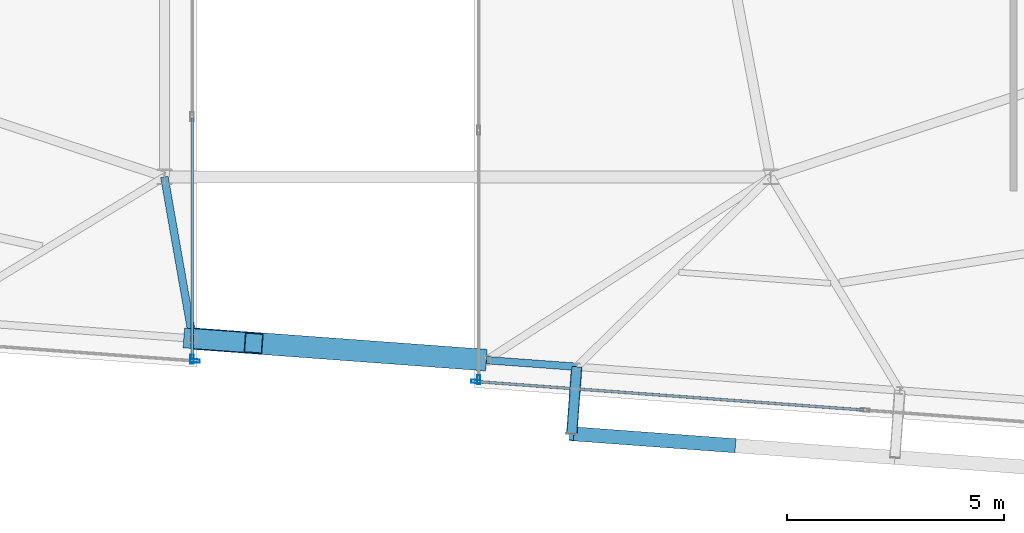
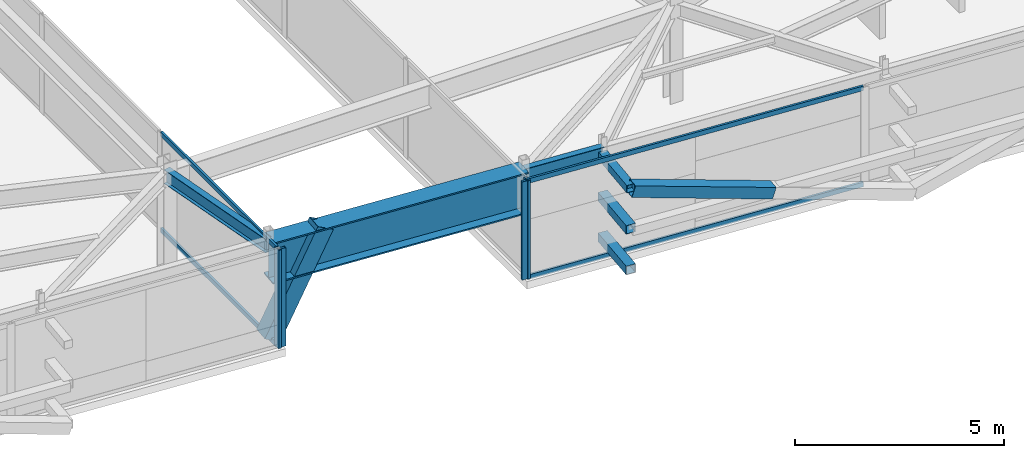
# One storey, part 11 of 40: 13 members, 3 beams, 4 elements without a shape of their own.
"""IFC4 building model written with IfcOpenShell, lengths in metres."""

from ifc_helpers import new_model, si_unit, direction, frame, origin, origin_2d, place, context, subcontext, project, spatial, hollow_rectangle, i_section, extrude, source, transform, mapped, material, layer, layer_set, material_profile, profile_set, type_object, element, aggregate, save


model = new_model("IFC4")

# Units and contexts
model_context = context("Model", 3, precision=1e-05, world=origin(), true_north=direction((0.0, 1.0)))
body_context = subcontext(model_context, "Body", "Model", "MODEL_VIEW")
ifc_project = project(units=[si_unit("LENGTHUNIT", "METRE"), si_unit("AREAUNIT", "SQUARE_METRE"), si_unit("VOLUMEUNIT", "CUBIC_METRE"), si_unit("PLANEANGLEUNIT", "RADIAN"), si_unit("MASSUNIT", "GRAM", prefix="KILO")], contexts=[model_context])

# Site, building, storey
site_placement = place(None, origin())
site = spatial("IfcSite", under=ifc_project, at=site_placement, CompositionType="ELEMENT")
building_placement = place(site_placement, origin())
building = spatial("IfcBuilding", under=site, at=building_placement, Name="Taldren Reach Tower", CompositionType="ELEMENT")
storey_placement = place(building_placement, frame((0.0, 0.0, 233.449951171875)))
storey = spatial("IfcBuildingStorey", under=building, at=storey_placement, Name="L71", CompositionType="ELEMENT", Elevation=233.449951171875)

# Members
ifc_material_1 = material(Name="Steel Gr 350 (C350L0)", Category="steel")
ifc_material_profile_1 = material_profile(ifc_material_1, hollow_rectangle(XDim=0.25, YDim=0.25, WallThickness=0.010009765625, at=origin_2d()), Name="250x250x10.0SHS")
ifc_profile_set_1 = profile_set([ifc_material_profile_1], Name="Steel Gr 350 (C350L0)")
member_type_1 = type_object("IfcMemberType", Name="MB-POST250", PredefinedType="POST", material=ifc_profile_set_1)
shared_shape_1 = source(origin(), body_context, "Body", "SweptSolid", [
    extrude(hollow_rectangle(XDim=0.25, YDim=0.25, WallThickness=0.010009765625, at=origin_2d()), origin(), (0.0, 0.0, 1.0), 1.550048828125),
])
for number, where, z_axis, x_axis, name in (
    (1, (37.5205078125, 4.81689453125, 0.219970703125), (-0.07323929162, -0.997314396849, 0.0), (0.997314396849, -0.07323929162, 0.0), "Exoskeleton base diaphragm tie strut B5-S4 L71"),
    (2, (37.5205078125, 4.81689453125, 1.405029296875), (-0.07323929162, -0.997314396849, 0.0), (0.997314396849, -0.07323929162, 0.0), "Exoskeleton mid-tier diaphragm tie B5-S4 L71"),
):
    element("IfcMember", number, at=place(storey_placement, frame(where, z_axis=z_axis, x_axis=x_axis)), inside=storey, type_object=member_type_1, Name=name, PredefinedType="POST", context=body_context, shape_type="MappedRepresentation", body=[
        mapped(shared_shape_1, transform((0.0, 0.0, 0.0), scale=1.0)),
    ])
ifc_material_2 = material(Name="Steel Gr 450 (C450L0)", Category="steel")
ifc_material_profile_2 = material_profile(ifc_material_2, hollow_rectangle(XDim=0.219970703125, YDim=0.219970703125, WallThickness=0.00830078125, at=origin_2d()), Name="220x220x8.2SHS")
ifc_profile_set_2 = profile_set([ifc_material_profile_2], Name="Steel Gr 450 (C450L0)")
member_type_2 = type_object("IfcMemberType", Name="MB-TIE219", PredefinedType="STRUT", material=ifc_profile_set_2)
shared_shape_2 = source(origin(), body_context, "Body", "SweptSolid", [
    extrude(hollow_rectangle(XDim=0.219970703125, YDim=0.219970703125, WallThickness=0.00830078125, at=origin_2d()), origin(), (0.0, 0.0, 1.0), 1.550048828125),
])
member_1_placement = place(storey_placement, frame((37.5205078125, 4.81689453125, 2.590087890625), z_axis=(-0.07323929162, -0.997314396849, 0.0), x_axis=(0.997314396849, -0.07323929162, 0.0)))
element("IfcMember", 3, at=member_1_placement, inside=storey, type_object=member_type_2, Name="Exoskeleton diaphragm tie strut B5-S4 L71", PredefinedType="STRUT", context=body_context, shape_type="MappedRepresentation", body=[
    mapped(shared_shape_2, transform((0.0, 0.0, 0.0), scale=1.0)),
])

# Beams
ifc_material_3 = material(Name="Steel Gr 350 (350PLUS)", Category="steel")
ifc_material_profile_3 = material_profile(ifc_material_3, i_section(OverallWidth=0.172119140625, OverallDepth=0.35888671875, WebThickness=0.008056640625, FlangeThickness=0.012939453125, at=origin_2d()), Name="360UB56.7")
ifc_profile_set_3 = profile_set([ifc_material_profile_3], Name="Steel Gr 350 (350PLUS)")
beam_type_1 = type_object("IfcBeamType", Name="SP-UB360", PredefinedType="SPANDREL", material=ifc_profile_set_3)
shared_shape_3 = source(origin(), body_context, "Body", "SweptSolid", [
    extrude(i_section(OverallWidth=0.172119140625, OverallDepth=0.35888671875, WebThickness=0.008056640625, FlangeThickness=0.012939453125, at=origin_2d()), origin(), (0.0, 0.0, 1.0), 2.090087890625),
])
beam_1_placement = place(storey_placement, frame((35.43603515625, 4.9697265625, 2.6904296875), z_axis=(0.997322930253, -0.073122997697, 0.0), x_axis=(0.073122997697, 0.997322930253, 0.0)))
element("IfcBeam", 4, at=beam_1_placement, inside=storey, type_object=beam_type_1, Name="Perimeter spandrel B5 PJ2-S4 L71", PredefinedType="SPANDREL", context=body_context, shape_type="MappedRepresentation", body=[
    mapped(shared_shape_3, transform((0.0, 0.0, 0.0), scale=1.0)),
])
ifc_material_profile_4 = material_profile(ifc_material_3, i_section(OverallWidth=0.177978515625, OverallDepth=0.406005859375, WebThickness=0.0078125, FlangeThickness=0.0126953125, at=origin_2d()), Name="410UB59.7")
ifc_profile_set_4 = profile_set([ifc_material_profile_4], Name="Steel Gr 350 (350PLUS)")
beam_type_2 = type_object("IfcBeamType", Name="BM-UB410", PredefinedType="BEAM", material=ifc_profile_set_4)
shared_shape_4 = source(origin(), body_context, "Body", "SweptSolid", [
    extrude(i_section(OverallWidth=0.177978515625, OverallDepth=0.406005859375, WebThickness=0.0078125, FlangeThickness=0.0126953125, at=origin_2d()), origin(), (0.0, 0.0, 1.0), 3.7890625),
])
beam_2_placement = place(storey_placement, frame((28.0, 9.199951171875, 2.6669921875), z_axis=(0.172678846321, -0.984978180486, 0.0), x_axis=(0.984978180486, 0.172678846321, 0.0)))
element("IfcBeam", 5, at=beam_2_placement, inside=storey, type_object=beam_type_2, Name="Primary floor girder B5-PJ1 L71", PredefinedType="BEAM", context=body_context, shape_type="MappedRepresentation", body=[
    mapped(shared_shape_4, transform((0.0, 0.0, 0.0), scale=1.0)),
])
ifc_material_profile_5 = material_profile(ifc_material_3, i_section(OverallWidth=0.5, OverallDepth=1.199951171875, WebThickness=0.01611328125, FlangeThickness=0.0400390625, at=origin_2d()), Name="1200WB455")
ifc_profile_set_5 = profile_set([ifc_material_profile_5], Name="Steel Gr 350 (350PLUS)")
beam_type_3 = type_object("IfcBeamType", Name="BM-WB1200", PredefinedType="BEAM", material=ifc_profile_set_5)
shared_shape_5 = source(origin(), body_context, "Body", "SweptSolid", [
    extrude(i_section(OverallWidth=0.5, OverallDepth=1.199951171875, WebThickness=0.01611328125, FlangeThickness=0.0400390625, at=origin_2d()), origin(), (0.0, 0.0, 1.0), 6.800048828125),
])
beam_3_placement = place(storey_placement, frame((28.654296875, 5.4677734375, 2.27001953125), z_axis=(0.997314185625, -0.073242167855, 0.0), x_axis=(0.073242167855, 0.997314185625, 0.0)))
element("IfcBeam", 6, at=beam_3_placement, inside=storey, type_object=beam_type_3, Name="Wind portal lintel transfer girder B5 PJ1-PJ2 L71", PredefinedType="BEAM", context=body_context, shape_type="MappedRepresentation", body=[
    mapped(shared_shape_5, transform((0.0, 0.0, 0.0), scale=1.0)),
])

# Members
ifc_material_profile_6 = material_profile(ifc_material_2, hollow_rectangle(XDim=0.4599609375, YDim=0.4599609375, WallThickness=0.01611328125, at=origin_2d()), Name="460x460x16.0SHS")
ifc_profile_set_6 = profile_set([ifc_material_profile_6], Name="Steel Gr 450 (C450L0)")
member_type_3 = type_object("IfcMemberType", Name="MB-EXO457", PredefinedType="BRACE", material=ifc_profile_set_6)
shared_shape_6 = source(origin(), body_context, "Body", "SweptSolid", [
    extrude(hollow_rectangle(XDim=0.4599609375, YDim=0.4599609375, WallThickness=0.01611328125, at=origin_2d()), origin(), (0.0, 0.0, 1.0), 3.179931640625),
])
member_2_placement = place(storey_placement, frame((28.654296875, 5.4677734375, 0.02001953125), z_axis=(0.442241893863, -0.032477139081, 0.896307616139), x_axis=(0.073240270738, 0.997314324946, 0.0)))
element("IfcMember", 7, at=member_2_placement, inside=storey, type_object=member_type_3, Name="Portal and block transfer strut TS-B5-S3 L71", PredefinedType="BRACE", context=body_context, shape_type="MappedRepresentation", body=[
    mapped(shared_shape_6, transform((0.0, 0.0, 0.0), scale=1.0)),
])
ifc_material_profile_7 = material_profile(ifc_material_2, hollow_rectangle(XDim=0.324951171875, YDim=0.324951171875, WallThickness=0.0126953125, at=origin_2d()), Name="325x325x12.7SHS")
ifc_profile_set_7 = profile_set([ifc_material_profile_7], Name="Steel Gr 450 (C450L0)")
member_type_4 = type_object("IfcMemberType", Name="MB-BR324", PredefinedType="BRACE", material=ifc_profile_set_7)
shared_shape_7 = source(origin(), body_context, "Body", "SweptSolid", [
    extrude(hollow_rectangle(XDim=0.324951171875, YDim=0.324951171875, WallThickness=0.0126953125, at=origin_2d()), origin(), (0.0, 0.0, 1.0), 3.923095703125),
])
member_3_placement = place(storey_placement, frame((41.13671875, 2.9970703125, 1.405029296875), z_axis=(-0.95072328871, 0.069824673033, 0.302075724514), x_axis=(-0.073246459555, -0.997313870435, 0.0)))
element("IfcMember", 8, at=member_3_placement, inside=storey, type_object=member_type_4, Name="Exoskeleton Diagrid Brace B5-S3 L71", PredefinedType="BRACE", context=body_context, shape_type="MappedRepresentation", body=[
    mapped(shared_shape_7, transform((0.0, 0.0, 0.0), scale=1.0)),
])

# Curtain wall, members
ifc_material_4 = material(Name="Aluminium and Low-E Glass Unitised System", Category="aluminium")
ifc_layer = layer(ifc_material_4, 0.159912109375)
ifc_layer_set = layer_set([ifc_layer], Name="Aluminium and Low-E Glass Unitised System")
curtain_wall_type = type_object("IfcCurtainWallType", Name="CW-SYS-7", PredefinedType="NOTDEFINED", material=ifc_layer_set)
curtain_wall_1_placement = place(storey_placement, origin())
curtain_wall_1 = element("IfcCurtainWall", 9, at=curtain_wall_1_placement, inside=storey, type_object=curtain_wall_type, Name="Unitised curtain wall CW-L71-SEWING", PredefinedType="NOTDEFINED")
ifc_material_5 = material(Name="Anodised Aluminium 6063-T6", Category="aluminium")
ifc_material_profile_8 = material_profile(ifc_material_5, hollow_rectangle(XDim=0.06005859375, YDim=0.135009765625, WallThickness=0.00341796875, at=origin_2d()), Name="ALU-135x60x3.5RHS")
ifc_profile_set_8 = profile_set([ifc_material_profile_8], Name="Anodised Aluminium 6063-T6")
member_type_5 = type_object("IfcMemberType", Name="CW-TRN-150", PredefinedType="USERDEFINED", material=ifc_profile_set_8)
shared_shape_8 = source(origin(), body_context, "Body", "SweptSolid", [
    extrude(hollow_rectangle(XDim=0.06005859375, YDim=0.135009765625, WallThickness=0.00341796875, at=origin_2d()), origin(), (0.0, 0.0, 1.0), 8.93701171875),
])
member_4_placement = place(storey_placement, frame((35.224853515625, 4.473876953125, 0.030029296875), z_axis=(0.997314437185, -0.07323874236, 0.0), x_axis=(0.07323874236, 0.997314437185, 0.0)))
member_4 = element("IfcMember", 10, at=member_4_placement, type_object=member_type_5, Name="CW-7 transom 1.1", ObjectType="TRANSOM", PredefinedType="USERDEFINED", context=body_context, shape_type="MappedRepresentation", body=[
    mapped(shared_shape_8, transform((0.0, 0.0, 0.0), scale=1.0)),
])
member_5_placement = place(storey_placement, frame((35.224853515625, 4.473876953125, 2.840087890625), z_axis=(0.997314437185, -0.07323874236, 0.0), x_axis=(0.07323874236, 0.997314437185, 0.0)))
member_5 = element("IfcMember", 11, at=member_5_placement, type_object=member_type_5, Name="CW-7 transom 1.2", ObjectType="TRANSOM", PredefinedType="USERDEFINED", context=body_context, shape_type="MappedRepresentation", body=[
    mapped(shared_shape_8, transform((0.0, 0.0, 0.0), scale=1.0)),
])

curtain_wall_2_placement = place(storey_placement, origin())
curtain_wall_2 = element("IfcCurtainWall", 12, at=curtain_wall_2_placement, inside=storey, type_object=curtain_wall_type, Name="Unitised curtain wall CW7-L71-PSW", PredefinedType="NOTDEFINED")
shared_shape_9 = source(origin(), body_context, "Body", "SweptSolid", [
    extrude(hollow_rectangle(XDim=0.06005859375, YDim=0.135009765625, WallThickness=0.00341796875, at=origin_2d()), origin(), (0.0, 0.0, 1.0), 5.531005859375),
])
member_6_placement = place(storey_placement, frame((28.639892578125, 5.0244140625, 0.030029296875), z_axis=(0.0, 1.0, 0.0), x_axis=(-1.0, 0.0, 0.0)))
member_6 = element("IfcMember", 13, at=member_6_placement, type_object=member_type_5, Name="CW-7 transom 1.1", ObjectType="TRANSOM", PredefinedType="USERDEFINED", context=body_context, shape_type="MappedRepresentation", body=[
    mapped(shared_shape_9, transform((0.0, 0.0, 0.0), scale=1.0)),
])
member_7_placement = place(storey_placement, frame((28.639892578125, 5.0244140625, 2.840087890625), z_axis=(0.0, 1.0, 0.0), x_axis=(-1.0, 0.0, 0.0)))
member_7 = element("IfcMember", 14, at=member_7_placement, type_object=member_type_5, Name="CW-7 transom 1.2", ObjectType="TRANSOM", PredefinedType="USERDEFINED", context=body_context, shape_type="MappedRepresentation", body=[
    mapped(shared_shape_9, transform((0.0, 0.0, 0.0), scale=1.0)),
])

# Curtain wall, member
curtain_wall_3_placement = place(storey_placement, origin())
curtain_wall_3 = element("IfcCurtainWall", 15, at=curtain_wall_3_placement, inside=storey, type_object=curtain_wall_type, Name="Unitised curtain wall CW-L71-SWING", PredefinedType="NOTDEFINED")
ifc_material_profile_9 = material_profile(ifc_material_5, hollow_rectangle(XDim=0.074951171875, YDim=0.2099609375, WallThickness=0.00439453125, at=origin_2d()), Name="ALU-210x75x4.5RHS")
ifc_profile_set_9 = profile_set([ifc_material_profile_9], Name="Anodised Aluminium 6063-T6")
member_type_6 = type_object("IfcMemberType", Name="CW-MUL-200", PredefinedType="MULLION", material=ifc_profile_set_9)
shared_shape_10 = source(origin(), body_context, "Body", "SweptSolid", [
    extrude(hollow_rectangle(XDim=0.074951171875, YDim=0.2099609375, WallThickness=0.00439453125, at=origin_2d()), origin(), (0.0, 0.0, 1.0), 2.8701171875),
])
member_8_placement = place(storey_placement, frame((28.712646484375, 4.9521484375, 0.0), z_axis=(0.0, 0.0, 1.0), x_axis=(0.073238148285, 0.997314480811, 0.0)))
member_8 = element("IfcMember", 16, at=member_8_placement, type_object=member_type_6, Name="CW-7 mullion 3", PredefinedType="MULLION", context=body_context, shape_type="MappedRepresentation", body=[
    mapped(shared_shape_10, transform((0.0, 0.0, 0.0), scale=1.0)),
])
aggregate(curtain_wall_3, [member_8])

# Member
member_9_placement = place(storey_placement, frame((35.1875, 4.476806640625, 0.0), z_axis=(0.0, 0.0, 1.0), x_axis=(0.073238086301, 0.997314485363, 0.0)))
member_9 = element("IfcMember", 17, at=member_9_placement, type_object=member_type_6, Name="CW-7 mullion 1", PredefinedType="MULLION", context=body_context, shape_type="MappedRepresentation", body=[
    mapped(shared_shape_10, transform((0.0, 0.0, 0.0), scale=1.0)),
])

aggregate(curtain_wall_1, [member_9, member_4, member_5])

member_10_placement = place(storey_placement, frame((28.639892578125, 4.987060546875, 0.0), z_axis=(0.0, 0.0, 1.0), x_axis=(-1.0, 0.0, 0.0)))
member_10 = element("IfcMember", 18, at=member_10_placement, type_object=member_type_6, Name="CW-7 mullion 1", PredefinedType="MULLION", context=body_context, shape_type="MappedRepresentation", body=[
    mapped(shared_shape_10, transform((0.0, 0.0, 0.0), scale=1.0)),
])

aggregate(curtain_wall_2, [member_10, member_6, member_7])

# Curtain wall, member
curtain_wall_4_placement = place(storey_placement, origin())
curtain_wall_4 = element("IfcCurtainWall", 19, at=curtain_wall_4_placement, inside=storey, type_object=curtain_wall_type, Name="Unitised curtain wall CW7-L71-PSE", PredefinedType="NOTDEFINED")
member_11_placement = place(storey_placement, frame((35.260009765625, 4.51708984375, 0.0), z_axis=(0.0, 0.0, 1.0), x_axis=(1.0, 0.0, 0.0)))
member_11 = element("IfcMember", 20, at=member_11_placement, type_object=member_type_6, Name="CW-7 mullion 4", PredefinedType="MULLION", context=body_context, shape_type="MappedRepresentation", body=[
    mapped(shared_shape_10, transform((0.0, 0.0, 0.0), scale=1.0)),
])
aggregate(curtain_wall_4, [member_11])

save(model, "model.ifc")
